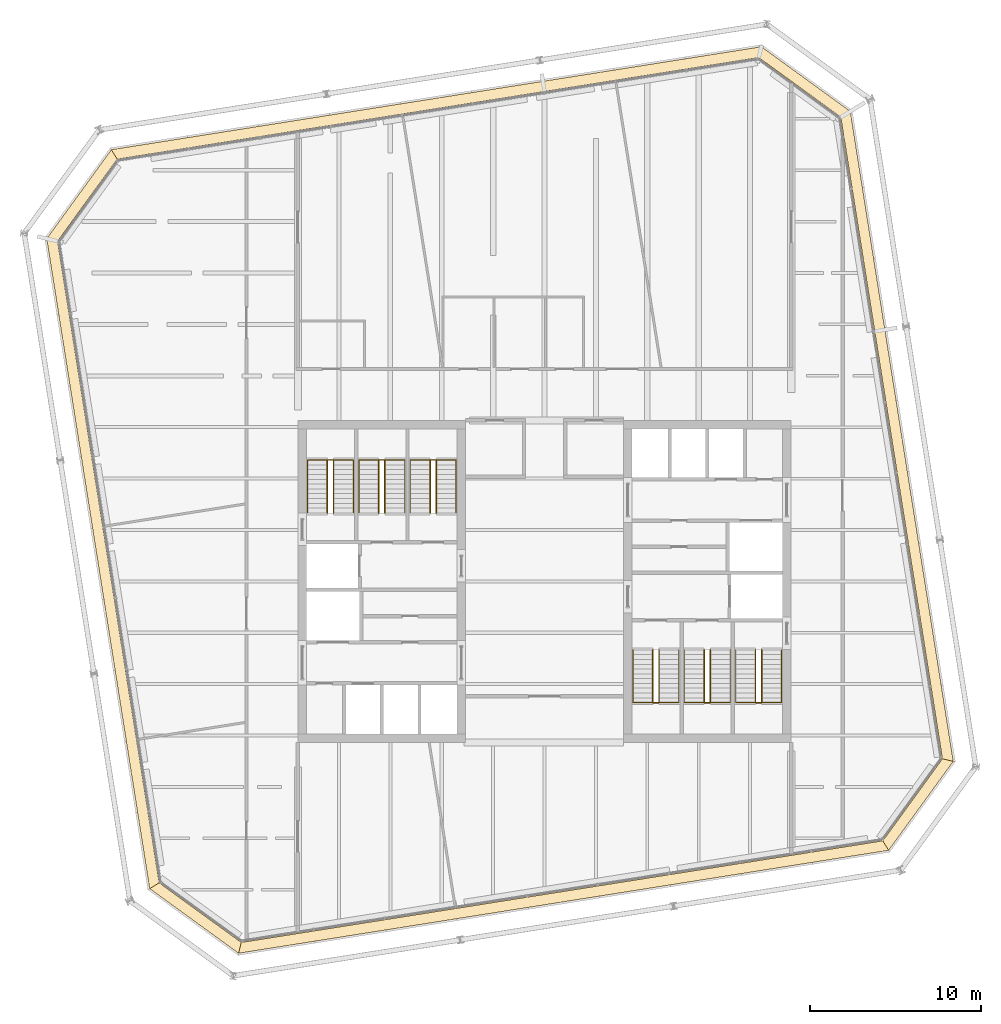
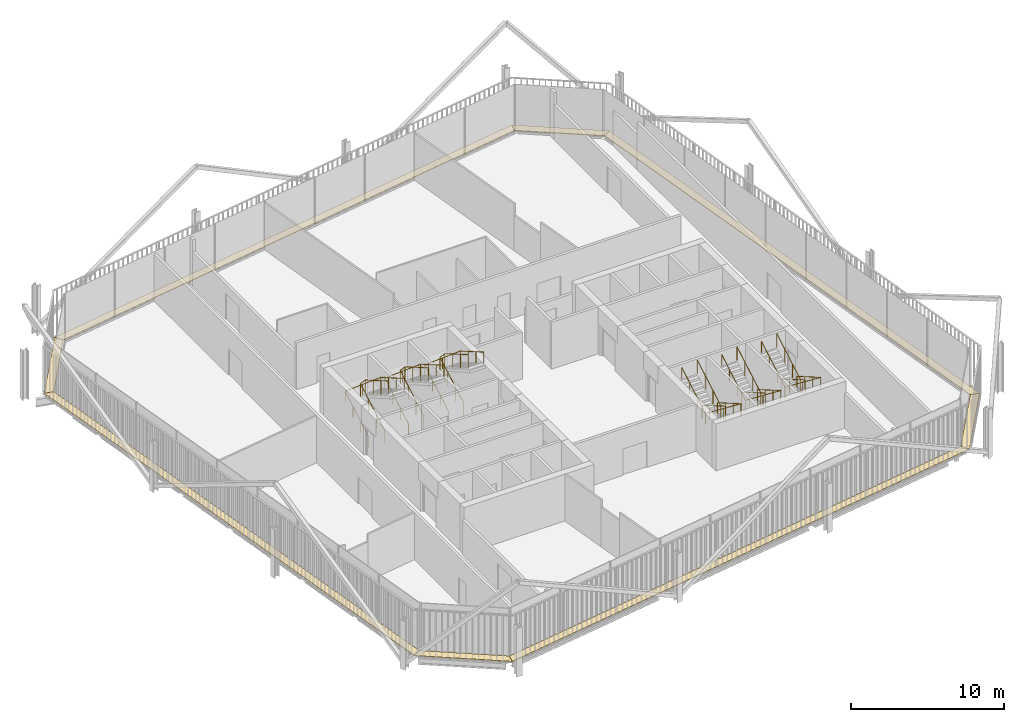
# One storey, part 20 of 20: 12 railings, 8 coverings.
"""IFC4 building model written with IfcOpenShell, lengths in metres."""

from ifc_helpers import new_model, si_unit, direction, frame, origin, origin_2d, place, context, subcontext, project, spatial, polyline, circle, outline, extrude, material, layer, layer_set, type_object, element, save


model = new_model("IFC4")

# Units and contexts
model_context = context("Model", 3, precision=1e-05, world=origin(), true_north=direction((0.0, 1.0)))
body_context = subcontext(model_context, "Body", "Model", "MODEL_VIEW")
ifc_project = project(units=[si_unit("LENGTHUNIT", "METRE"), si_unit("AREAUNIT", "SQUARE_METRE"), si_unit("VOLUMEUNIT", "CUBIC_METRE"), si_unit("PLANEANGLEUNIT", "RADIAN"), si_unit("MASSUNIT", "GRAM", prefix="KILO")], contexts=[model_context])

# Site, building, storey
site_placement = place(None, origin())
site = spatial("IfcSite", under=ifc_project, at=site_placement, CompositionType="ELEMENT")
building_placement = place(site_placement, origin())
building = spatial("IfcBuilding", under=site, at=building_placement, Name="Millrace Tower", CompositionType="ELEMENT")
storey_placement = place(building_placement, frame((0.0, 0.0, 204.699951171875)))
storey = spatial("IfcBuildingStorey", under=building, at=storey_placement, Name="L46", CompositionType="ELEMENT", Elevation=204.699951171875)

# Coverings
ifc_material_1 = material(Name="Steel ASTM A36", Category="steel")
ifc_layer = layer(ifc_material_1, 0.050048828125)
ifc_layer_set = layer_set([ifc_layer], Name="Steel ASTM A36")
covering_type = type_object("IfcCoveringType", Name="CAVITY CATWALK steel grating", PredefinedType="FLOORING", material=ifc_layer_set)
placement = place(storey_placement, frame((0.0, 0.0, 0.10009765625)))
element("IfcCovering", 1, at=placement, inside=storey, type_object=covering_type, Name="Cavity catwalk grating D-F01 L46 1", PredefinedType="FLOORING", context=body_context, shape_type="SweptSolid", body=[
    extrude(outline(polyline([(-23.052490234375, -17.939453125), (-17.85888671875, -21.712890625), (-17.707275390625, -21.081298828125), (-22.49853515625, -17.60009765625), (-23.052490234375, -17.939453125)])), origin(), (0.0, 0.0, 1.0), 0.050048828125),
])
element("IfcCovering", 2, at=placement, inside=storey, type_object=covering_type, Name="Cavity catwalk grating D-F02 L46 1", PredefinedType="FLOORING", context=body_context, shape_type="SweptSolid", body=[
    extrude(outline(polyline([(-17.85888671875, -21.712890625), (20.08935546875, -15.702392578125), (19.750244140625, -15.148681640625), (-17.707275390625, -21.081298828125), (-17.85888671875, -21.712890625)])), origin(), (0.0, 0.0, 1.0), 0.050048828125),
])
element("IfcCovering", 3, at=placement, inside=storey, type_object=covering_type, Name="Cavity catwalk grating D-F03 L46 1", PredefinedType="FLOORING", context=body_context, shape_type="SweptSolid", body=[
    extrude(outline(polyline([(20.08935546875, -15.702392578125), (23.86279296875, -10.5087890625), (23.231201171875, -10.357177734375), (19.750244140625, -15.148681640625), (20.08935546875, -15.702392578125)])), origin(), (0.0, 0.0, 1.0), 0.050048828125),
])
element("IfcCovering", 4, at=placement, inside=storey, type_object=covering_type, Name="Cavity catwalk grating D-F04 L46 1", PredefinedType="FLOORING", context=body_context, shape_type="SweptSolid", body=[
    extrude(outline(polyline([(23.86279296875, -10.5087890625), (17.852294921875, 27.439453125), (17.298583984375, 27.10009765625), (23.231201171875, -10.357177734375), (23.86279296875, -10.5087890625)])), origin(), (0.0, 0.0, 1.0), 0.050048828125),
])
element("IfcCovering", 5, at=placement, inside=storey, type_object=covering_type, Name="Cavity catwalk grating D-F05 L46 1", PredefinedType="FLOORING", context=body_context, shape_type="SweptSolid", body=[
    extrude(outline(polyline([(17.852294921875, 27.439453125), (12.658935546875, 31.212890625), (12.50732421875, 30.581298828125), (17.298583984375, 27.10009765625), (17.852294921875, 27.439453125)])), origin(), (0.0, 0.0, 1.0), 0.050048828125),
])
element("IfcCovering", 6, at=placement, inside=storey, type_object=covering_type, Name="Cavity catwalk grating D-F06 L46 1", PredefinedType="FLOORING", context=body_context, shape_type="SweptSolid", body=[
    extrude(outline(polyline([(12.658935546875, 31.212890625), (-25.28955078125, 25.202392578125), (-24.9501953125, 24.648681640625), (12.50732421875, 30.581298828125), (12.658935546875, 31.212890625)])), origin(), (0.0, 0.0, 1.0), 0.050048828125),
])
element("IfcCovering", 7, at=placement, inside=storey, type_object=covering_type, Name="Cavity catwalk grating D-F07 L46 1", PredefinedType="FLOORING", context=body_context, shape_type="SweptSolid", body=[
    extrude(outline(polyline([(-25.28955078125, 25.202392578125), (-29.062744140625, 20.0087890625), (-28.431396484375, 19.857177734375), (-24.9501953125, 24.648681640625), (-25.28955078125, 25.202392578125)])), origin(), (0.0, 0.0, 1.0), 0.050048828125),
])
element("IfcCovering", 8, at=placement, inside=storey, type_object=covering_type, Name="Cavity catwalk grating D-F08 L46 1", PredefinedType="FLOORING", context=body_context, shape_type="SweptSolid", body=[
    extrude(outline(polyline([(-29.062744140625, 20.0087890625), (-23.052490234375, -17.939453125), (-22.49853515625, -17.60009765625), (-28.431396484375, 19.857177734375), (-29.062744140625, 20.0087890625)])), origin(), (0.0, 0.0, 1.0), 0.050048828125),
])

# Railings
ifc_material_2 = material(Name="Stainless steel ASTM A240 type 316", Category="steel")
railing_type_1 = type_object("IfcRailingType", Name="Stair guard 1100", PredefinedType="GUARDRAIL", material=ifc_material_2)
for number, where, name in (
    (9, (-12.679931640625, 4.0, 0.16259765625), "Stair guard 1 W L46"),
    (10, (-9.679931640625, 4.0, 0.16259765625), "Stair guard 2 W L46"),
    (11, (-6.679931640625, 4.0, 0.16259765625), "Stair guard 3 W L46"),
):
    element("IfcRailing", number, at=place(storey_placement, frame(where)), inside=storey, type_object=railing_type_1, Name=name, PredefinedType="GUARDRAIL", context=body_context, shape_type="SweptSolid", body=[
        extrude(circle(Radius=0.02392578125, at=origin_2d()), frame((0.0, 0.0, 1.076171875), z_axis=(0.0, 0.864920483161, 0.501908913857), x_axis=(-1.0, 0.0, 0.0)), (0.0, 0.0, 1.0), 3.56103515625),
        extrude(circle(Radius=0.02392578125, at=origin_2d()), frame((0.0, 3.080078125, 2.86328125), z_axis=(0.911295775139, 0.0, 0.411752365158), x_axis=(0.0, 1.0, 0.0)), (0.0, 0.0, 1.0), 0.394775390625),
        extrude(circle(Radius=0.02392578125, at=origin_2d()), frame((0.35986328125, 3.080078125, 3.02587890625), z_axis=(0.0, -0.864890721111, 0.501960198159), x_axis=(1.0, 0.0, 0.0)), (0.0, 0.0, 1.0), 3.561279296875),
        extrude(circle(Radius=0.02099609375, at=origin_2d()), origin(), (0.0, 0.0, 1.0), 1.052001953125),
        extrude(circle(Radius=0.02099609375, at=origin_2d()), frame((0.0, 1.026611328125, 0.595703125)), (0.0, 0.0, 1.0), 1.052001953125),
        extrude(circle(Radius=0.02099609375, at=origin_2d()), frame((0.0, 2.053466796875, 1.191650390625)), (0.0, 0.0, 1.0), 1.052001953125),
        extrude(circle(Radius=0.02099609375, at=origin_2d()), frame((0.0, 3.080078125, 1.787353515625)), (0.0, 0.0, 1.0), 1.052001953125),
        extrude(circle(Radius=0.02099609375, at=origin_2d()), frame((0.35986328125, 3.080078125, 1.949951171875)), (0.0, 0.0, 1.0), 1.052001953125),
        extrude(circle(Radius=0.02099609375, at=origin_2d()), frame((0.35986328125, 2.053466796875, 2.5458984375)), (0.0, 0.0, 1.0), 1.052001953125),
        extrude(circle(Radius=0.02099609375, at=origin_2d()), frame((0.35986328125, 1.026611328125, 3.1416015625)), (0.0, 0.0, 1.0), 1.052001953125),
        extrude(circle(Radius=0.02099609375, at=origin_2d()), frame((0.35986328125, 0.0, 3.737548828125)), (0.0, 0.0, 1.0), 1.052001953125),
    ])
for number, where, name in (
    (12, (12.679931640625, -4.0, 0.16259765625), "Stair guard 1 E L46"),
    (13, (9.679931640625, -4.0, 0.16259765625), "Stair guard 2 E L46"),
    (14, (6.679931640625, -4.0, 0.16259765625), "Stair guard 3 E L46"),
):
    element("IfcRailing", number, at=place(storey_placement, frame(where)), inside=storey, type_object=railing_type_1, Name=name, PredefinedType="GUARDRAIL", context=body_context, shape_type="SweptSolid", body=[
        extrude(circle(Radius=0.02392578125, at=origin_2d()), frame((0.0, 0.0, 1.076171875), z_axis=(0.0, -0.864920483161, 0.501908913857), x_axis=(1.0, 0.0, 0.0)), (0.0, 0.0, 1.0), 3.56103515625),
        extrude(circle(Radius=0.02392578125, at=origin_2d()), frame((0.0, -3.080078125, 2.86328125), z_axis=(-0.911295775139, 0.0, 0.411752365158), x_axis=(0.0, -1.0, 0.0)), (0.0, 0.0, 1.0), 0.394775390625),
        extrude(circle(Radius=0.02392578125, at=origin_2d()), frame((-0.35986328125, -3.080078125, 3.02587890625), z_axis=(0.0, 0.864890721111, 0.501960198159), x_axis=(-1.0, 0.0, 0.0)), (0.0, 0.0, 1.0), 3.561279296875),
        extrude(circle(Radius=0.02099609375, at=origin_2d()), origin(), (0.0, 0.0, 1.0), 1.052001953125),
        extrude(circle(Radius=0.02099609375, at=origin_2d()), frame((0.0, -1.026611328125, 0.595703125)), (0.0, 0.0, 1.0), 1.052001953125),
        extrude(circle(Radius=0.02099609375, at=origin_2d()), frame((0.0, -2.053466796875, 1.191650390625)), (0.0, 0.0, 1.0), 1.052001953125),
        extrude(circle(Radius=0.02099609375, at=origin_2d()), frame((0.0, -3.080078125, 1.787353515625)), (0.0, 0.0, 1.0), 1.052001953125),
        extrude(circle(Radius=0.02099609375, at=origin_2d()), frame((-0.35986328125, -3.080078125, 1.949951171875)), (0.0, 0.0, 1.0), 1.052001953125),
        extrude(circle(Radius=0.02099609375, at=origin_2d()), frame((-0.35986328125, -2.053466796875, 2.5458984375)), (0.0, 0.0, 1.0), 1.052001953125),
        extrude(circle(Radius=0.02099609375, at=origin_2d()), frame((-0.35986328125, -1.026611328125, 3.1416015625)), (0.0, 0.0, 1.0), 1.052001953125),
        extrude(circle(Radius=0.02099609375, at=origin_2d()), frame((-0.35986328125, 0.0, 3.737548828125)), (0.0, 0.0, 1.0), 1.052001953125),
    ])
ifc_material_3 = material(Name="Stainless steel ASTM A240 type 316", Category="steel")
railing_type_2 = type_object("IfcRailingType", Name="Stair handrail 900", PredefinedType="HANDRAIL", material=ifc_material_3)
railing_1_placement = place(storey_placement, frame((-13.840087890625, 4.0, 0.16259765625)))
element("IfcRailing", 15, at=railing_1_placement, inside=storey, type_object=railing_type_2, Name="Stair handrail 1 W L46", PredefinedType="HANDRAIL", context=body_context, shape_type="SweptSolid", body=[
    extrude(circle(Radius=0.02392578125, at=origin_2d()), frame((0.0, 0.0, 0.8759765625), z_axis=(0.0, 0.864920483161, 0.501908913857), x_axis=(-1.0, 0.0, 0.0)), (0.0, 0.0, 1.0), 3.56103515625),
    extrude(circle(Radius=0.02392578125, at=origin_2d()), frame((0.0, 3.080078125, 2.6630859375), z_axis=(0.998164834547, 0.0, 0.060555454528), x_axis=(0.0, 1.0, 0.0)), (0.0, 0.0, 1.0), 2.68505859375),
    extrude(circle(Radius=0.02392578125, at=origin_2d()), frame((2.68017578125, 3.080078125, 2.82568359375), z_axis=(0.0, -0.864890721111, 0.501960198159), x_axis=(1.0, 0.0, 0.0)), (0.0, 0.0, 1.0), 3.561279296875),
    extrude(circle(Radius=0.02099609375, at=origin_2d()), origin(), (0.0, 0.0, 1.0), 0.851806640625),
    extrude(circle(Radius=0.02099609375, at=origin_2d()), frame((0.0, 1.026611328125, 0.595703125)), (0.0, 0.0, 1.0), 0.851806640625),
    extrude(circle(Radius=0.02099609375, at=origin_2d()), frame((0.0, 2.053466796875, 1.191650390625)), (0.0, 0.0, 1.0), 0.851806640625),
    extrude(circle(Radius=0.02099609375, at=origin_2d()), frame((0.0, 3.080078125, 1.787353515625)), (0.0, 0.0, 1.0), 0.851806640625),
    extrude(circle(Radius=0.02099609375, at=origin_2d()), frame((1.340087890625, 3.080078125, 1.86865234375)), (0.0, 0.0, 1.0), 0.851806640625),
    extrude(circle(Radius=0.02099609375, at=origin_2d()), frame((2.68017578125, 3.080078125, 1.949951171875)), (0.0, 0.0, 1.0), 0.851806640625),
    extrude(circle(Radius=0.02099609375, at=origin_2d()), frame((2.68017578125, 2.053466796875, 2.5458984375)), (0.0, 0.0, 1.0), 0.851806640625),
    extrude(circle(Radius=0.02099609375, at=origin_2d()), frame((2.68017578125, 1.026611328125, 3.1416015625)), (0.0, 0.0, 1.0), 0.851806640625),
    extrude(circle(Radius=0.02099609375, at=origin_2d()), frame((2.68017578125, 0.0, 3.737548828125)), (0.0, 0.0, 1.0), 0.851806640625),
])
railing_2_placement = place(storey_placement, frame((-10.840087890625, 4.0, 0.16259765625)))
element("IfcRailing", 16, at=railing_2_placement, inside=storey, type_object=railing_type_2, Name="Stair handrail 2 W L46", PredefinedType="HANDRAIL", context=body_context, shape_type="SweptSolid", body=[
    extrude(circle(Radius=0.02392578125, at=origin_2d()), frame((0.0, 0.0, 0.8759765625), z_axis=(0.0, 0.864920483161, 0.501908913857), x_axis=(-1.0, 0.0, 0.0)), (0.0, 0.0, 1.0), 3.56103515625),
    extrude(circle(Radius=0.02392578125, at=origin_2d()), frame((0.0, 3.080078125, 2.6630859375), z_axis=(0.998164834547, 0.0, 0.060555454528), x_axis=(0.0, 1.0, 0.0)), (0.0, 0.0, 1.0), 2.68505859375),
    extrude(circle(Radius=0.02392578125, at=origin_2d()), frame((2.68017578125, 3.080078125, 2.82568359375), z_axis=(0.0, -0.864890721111, 0.501960198159), x_axis=(1.0, 0.0, 0.0)), (0.0, 0.0, 1.0), 3.561279296875),
    extrude(circle(Radius=0.02099609375, at=origin_2d()), origin(), (0.0, 0.0, 1.0), 0.851806640625),
    extrude(circle(Radius=0.02099609375, at=origin_2d()), frame((0.0, 1.026611328125, 0.595703125)), (0.0, 0.0, 1.0), 0.851806640625),
    extrude(circle(Radius=0.02099609375, at=origin_2d()), frame((0.0, 2.053466796875, 1.191650390625)), (0.0, 0.0, 1.0), 0.851806640625),
    extrude(circle(Radius=0.02099609375, at=origin_2d()), frame((0.0, 3.080078125, 1.787353515625)), (0.0, 0.0, 1.0), 0.851806640625),
    extrude(circle(Radius=0.02099609375, at=origin_2d()), frame((1.340087890625, 3.080078125, 1.86865234375)), (0.0, 0.0, 1.0), 0.851806640625),
    extrude(circle(Radius=0.02099609375, at=origin_2d()), frame((2.68017578125, 3.080078125, 1.949951171875)), (0.0, 0.0, 1.0), 0.851806640625),
    extrude(circle(Radius=0.02099609375, at=origin_2d()), frame((2.68017578125, 2.053466796875, 2.5458984375)), (0.0, 0.0, 1.0), 0.851806640625),
    extrude(circle(Radius=0.02099609375, at=origin_2d()), frame((2.68017578125, 1.026611328125, 3.1416015625)), (0.0, 0.0, 1.0), 0.851806640625),
    extrude(circle(Radius=0.02099609375, at=origin_2d()), frame((2.68017578125, 0.0, 3.737548828125)), (0.0, 0.0, 1.0), 0.851806640625),
])
railing_3_placement = place(storey_placement, frame((-7.840087890625, 4.0, 0.16259765625)))
element("IfcRailing", 17, at=railing_3_placement, inside=storey, type_object=railing_type_2, Name="Stair handrail 3 W L46", PredefinedType="HANDRAIL", context=body_context, shape_type="SweptSolid", body=[
    extrude(circle(Radius=0.02392578125, at=origin_2d()), frame((0.0, 0.0, 0.8759765625), z_axis=(0.0, 0.864920483161, 0.501908913857), x_axis=(-1.0, 0.0, 0.0)), (0.0, 0.0, 1.0), 3.56103515625),
    extrude(circle(Radius=0.02392578125, at=origin_2d()), frame((0.0, 3.080078125, 2.6630859375), z_axis=(0.998164834547, 0.0, 0.060555454528), x_axis=(0.0, 1.0, 0.0)), (0.0, 0.0, 1.0), 2.68505859375),
    extrude(circle(Radius=0.02392578125, at=origin_2d()), frame((2.68017578125, 3.080078125, 2.82568359375), z_axis=(0.0, -0.864890721111, 0.501960198159), x_axis=(1.0, 0.0, 0.0)), (0.0, 0.0, 1.0), 3.561279296875),
    extrude(circle(Radius=0.02099609375, at=origin_2d()), origin(), (0.0, 0.0, 1.0), 0.851806640625),
    extrude(circle(Radius=0.02099609375, at=origin_2d()), frame((0.0, 1.026611328125, 0.595703125)), (0.0, 0.0, 1.0), 0.851806640625),
    extrude(circle(Radius=0.02099609375, at=origin_2d()), frame((0.0, 2.053466796875, 1.191650390625)), (0.0, 0.0, 1.0), 0.851806640625),
    extrude(circle(Radius=0.02099609375, at=origin_2d()), frame((0.0, 3.080078125, 1.787353515625)), (0.0, 0.0, 1.0), 0.851806640625),
    extrude(circle(Radius=0.02099609375, at=origin_2d()), frame((1.340087890625, 3.080078125, 1.86865234375)), (0.0, 0.0, 1.0), 0.851806640625),
    extrude(circle(Radius=0.02099609375, at=origin_2d()), frame((2.68017578125, 3.080078125, 1.949951171875)), (0.0, 0.0, 1.0), 0.851806640625),
    extrude(circle(Radius=0.02099609375, at=origin_2d()), frame((2.68017578125, 2.053466796875, 2.5458984375)), (0.0, 0.0, 1.0), 0.851806640625),
    extrude(circle(Radius=0.02099609375, at=origin_2d()), frame((2.68017578125, 1.026611328125, 3.1416015625)), (0.0, 0.0, 1.0), 0.851806640625),
    extrude(circle(Radius=0.02099609375, at=origin_2d()), frame((2.68017578125, 0.0, 3.737548828125)), (0.0, 0.0, 1.0), 0.851806640625),
])
railing_4_placement = place(storey_placement, frame((13.840087890625, -4.0, 0.16259765625)))
element("IfcRailing", 18, at=railing_4_placement, inside=storey, type_object=railing_type_2, Name="Stair handrail 1 E L46", PredefinedType="HANDRAIL", context=body_context, shape_type="SweptSolid", body=[
    extrude(circle(Radius=0.02392578125, at=origin_2d()), frame((0.0, 0.0, 0.8759765625), z_axis=(0.0, -0.864920483161, 0.501908913857), x_axis=(1.0, 0.0, 0.0)), (0.0, 0.0, 1.0), 3.56103515625),
    extrude(circle(Radius=0.02392578125, at=origin_2d()), frame((0.0, -3.080078125, 2.6630859375), z_axis=(-0.998164834547, 0.0, 0.060555454528), x_axis=(0.0, -1.0, 0.0)), (0.0, 0.0, 1.0), 2.68505859375),
    extrude(circle(Radius=0.02392578125, at=origin_2d()), frame((-2.68017578125, -3.080078125, 2.82568359375), z_axis=(0.0, 0.864890721111, 0.501960198159), x_axis=(-1.0, 0.0, 0.0)), (0.0, 0.0, 1.0), 3.561279296875),
    extrude(circle(Radius=0.02099609375, at=origin_2d()), origin(), (0.0, 0.0, 1.0), 0.851806640625),
    extrude(circle(Radius=0.02099609375, at=origin_2d()), frame((0.0, -1.026611328125, 0.595703125)), (0.0, 0.0, 1.0), 0.851806640625),
    extrude(circle(Radius=0.02099609375, at=origin_2d()), frame((0.0, -2.053466796875, 1.191650390625)), (0.0, 0.0, 1.0), 0.851806640625),
    extrude(circle(Radius=0.02099609375, at=origin_2d()), frame((0.0, -3.080078125, 1.787353515625)), (0.0, 0.0, 1.0), 0.851806640625),
    extrude(circle(Radius=0.02099609375, at=origin_2d()), frame((-1.340087890625, -3.080078125, 1.86865234375)), (0.0, 0.0, 1.0), 0.851806640625),
    extrude(circle(Radius=0.02099609375, at=origin_2d()), frame((-2.68017578125, -3.080078125, 1.949951171875)), (0.0, 0.0, 1.0), 0.851806640625),
    extrude(circle(Radius=0.02099609375, at=origin_2d()), frame((-2.68017578125, -2.053466796875, 2.5458984375)), (0.0, 0.0, 1.0), 0.851806640625),
    extrude(circle(Radius=0.02099609375, at=origin_2d()), frame((-2.68017578125, -1.026611328125, 3.1416015625)), (0.0, 0.0, 1.0), 0.851806640625),
    extrude(circle(Radius=0.02099609375, at=origin_2d()), frame((-2.68017578125, 0.0, 3.737548828125)), (0.0, 0.0, 1.0), 0.851806640625),
])
railing_5_placement = place(storey_placement, frame((10.840087890625, -4.0, 0.16259765625)))
element("IfcRailing", 19, at=railing_5_placement, inside=storey, type_object=railing_type_2, Name="Stair handrail 2 E L46", PredefinedType="HANDRAIL", context=body_context, shape_type="SweptSolid", body=[
    extrude(circle(Radius=0.02392578125, at=origin_2d()), frame((0.0, 0.0, 0.8759765625), z_axis=(0.0, -0.864920483161, 0.501908913857), x_axis=(1.0, 0.0, 0.0)), (0.0, 0.0, 1.0), 3.56103515625),
    extrude(circle(Radius=0.02392578125, at=origin_2d()), frame((0.0, -3.080078125, 2.6630859375), z_axis=(-0.998164834547, 0.0, 0.060555454528), x_axis=(0.0, -1.0, 0.0)), (0.0, 0.0, 1.0), 2.68505859375),
    extrude(circle(Radius=0.02392578125, at=origin_2d()), frame((-2.68017578125, -3.080078125, 2.82568359375), z_axis=(0.0, 0.864890721111, 0.501960198159), x_axis=(-1.0, 0.0, 0.0)), (0.0, 0.0, 1.0), 3.561279296875),
    extrude(circle(Radius=0.02099609375, at=origin_2d()), origin(), (0.0, 0.0, 1.0), 0.851806640625),
    extrude(circle(Radius=0.02099609375, at=origin_2d()), frame((0.0, -1.026611328125, 0.595703125)), (0.0, 0.0, 1.0), 0.851806640625),
    extrude(circle(Radius=0.02099609375, at=origin_2d()), frame((0.0, -2.053466796875, 1.191650390625)), (0.0, 0.0, 1.0), 0.851806640625),
    extrude(circle(Radius=0.02099609375, at=origin_2d()), frame((0.0, -3.080078125, 1.787353515625)), (0.0, 0.0, 1.0), 0.851806640625),
    extrude(circle(Radius=0.02099609375, at=origin_2d()), frame((-1.340087890625, -3.080078125, 1.86865234375)), (0.0, 0.0, 1.0), 0.851806640625),
    extrude(circle(Radius=0.02099609375, at=origin_2d()), frame((-2.68017578125, -3.080078125, 1.949951171875)), (0.0, 0.0, 1.0), 0.851806640625),
    extrude(circle(Radius=0.02099609375, at=origin_2d()), frame((-2.68017578125, -2.053466796875, 2.5458984375)), (0.0, 0.0, 1.0), 0.851806640625),
    extrude(circle(Radius=0.02099609375, at=origin_2d()), frame((-2.68017578125, -1.026611328125, 3.1416015625)), (0.0, 0.0, 1.0), 0.851806640625),
    extrude(circle(Radius=0.02099609375, at=origin_2d()), frame((-2.68017578125, 0.0, 3.737548828125)), (0.0, 0.0, 1.0), 0.851806640625),
])
railing_6_placement = place(storey_placement, frame((7.840087890625, -4.0, 0.16259765625)))
element("IfcRailing", 20, at=railing_6_placement, inside=storey, type_object=railing_type_2, Name="Stair handrail 3 E L46", PredefinedType="HANDRAIL", context=body_context, shape_type="SweptSolid", body=[
    extrude(circle(Radius=0.02392578125, at=origin_2d()), frame((0.0, 0.0, 0.8759765625), z_axis=(0.0, -0.864920483161, 0.501908913857), x_axis=(1.0, 0.0, 0.0)), (0.0, 0.0, 1.0), 3.56103515625),
    extrude(circle(Radius=0.02392578125, at=origin_2d()), frame((0.0, -3.080078125, 2.6630859375), z_axis=(-0.998164834547, 0.0, 0.060555454528), x_axis=(0.0, -1.0, 0.0)), (0.0, 0.0, 1.0), 2.68505859375),
    extrude(circle(Radius=0.02392578125, at=origin_2d()), frame((-2.68017578125, -3.080078125, 2.82568359375), z_axis=(0.0, 0.864890721111, 0.501960198159), x_axis=(-1.0, 0.0, 0.0)), (0.0, 0.0, 1.0), 3.561279296875),
    extrude(circle(Radius=0.02099609375, at=origin_2d()), origin(), (0.0, 0.0, 1.0), 0.851806640625),
    extrude(circle(Radius=0.02099609375, at=origin_2d()), frame((0.0, -1.026611328125, 0.595703125)), (0.0, 0.0, 1.0), 0.851806640625),
    extrude(circle(Radius=0.02099609375, at=origin_2d()), frame((0.0, -2.053466796875, 1.191650390625)), (0.0, 0.0, 1.0), 0.851806640625),
    extrude(circle(Radius=0.02099609375, at=origin_2d()), frame((0.0, -3.080078125, 1.787353515625)), (0.0, 0.0, 1.0), 0.851806640625),
    extrude(circle(Radius=0.02099609375, at=origin_2d()), frame((-1.340087890625, -3.080078125, 1.86865234375)), (0.0, 0.0, 1.0), 0.851806640625),
    extrude(circle(Radius=0.02099609375, at=origin_2d()), frame((-2.68017578125, -3.080078125, 1.949951171875)), (0.0, 0.0, 1.0), 0.851806640625),
    extrude(circle(Radius=0.02099609375, at=origin_2d()), frame((-2.68017578125, -2.053466796875, 2.5458984375)), (0.0, 0.0, 1.0), 0.851806640625),
    extrude(circle(Radius=0.02099609375, at=origin_2d()), frame((-2.68017578125, -1.026611328125, 3.1416015625)), (0.0, 0.0, 1.0), 0.851806640625),
    extrude(circle(Radius=0.02099609375, at=origin_2d()), frame((-2.68017578125, 0.0, 3.737548828125)), (0.0, 0.0, 1.0), 0.851806640625),
])

save(model, "model.ifc")
